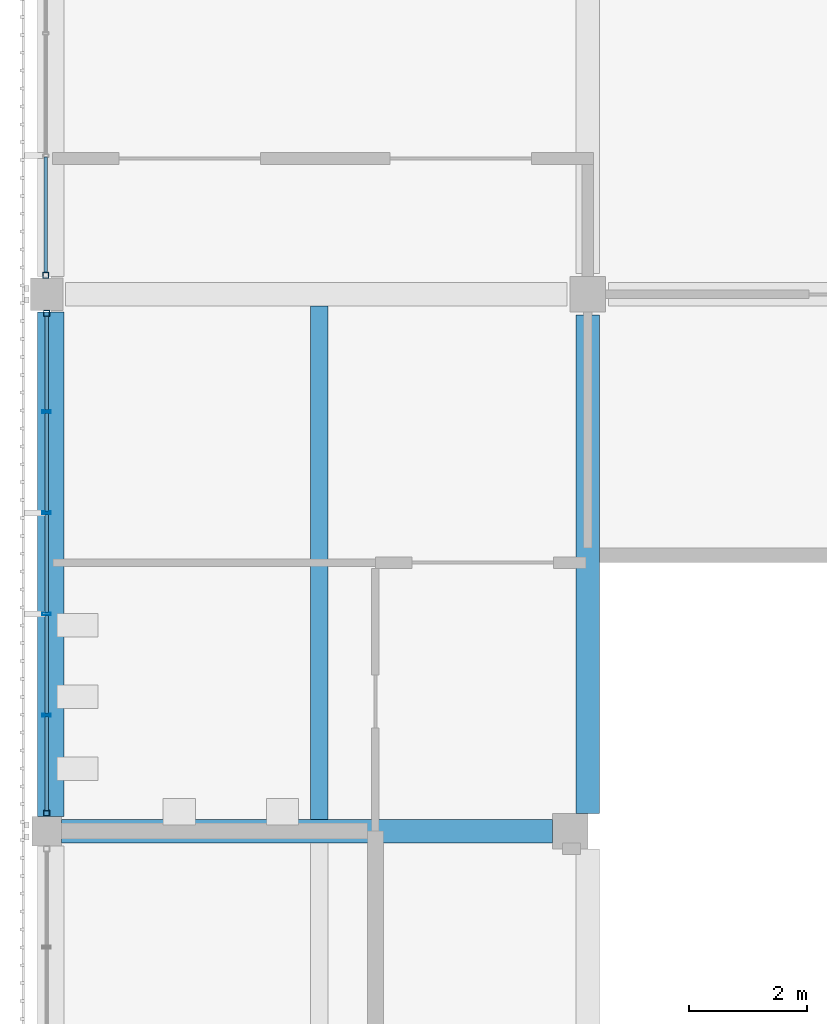
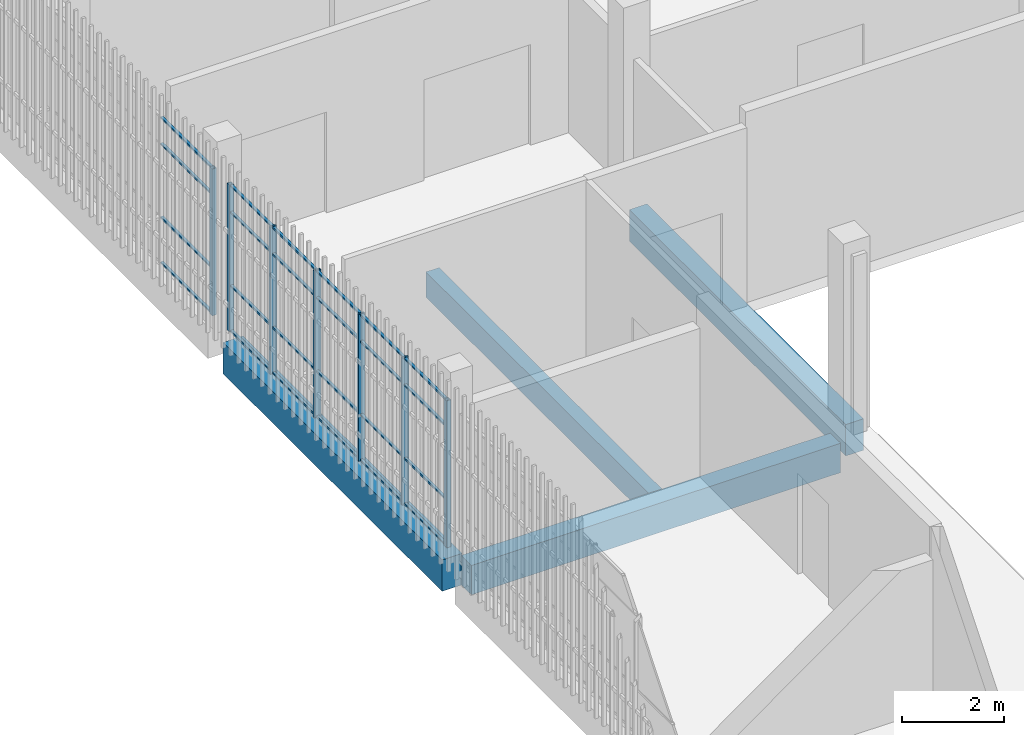
# One storey, part 29 of 124: 31 members, 4 beams, 2 elements without a shape of their own.
"""IFC4 building model written with IfcOpenShell, lengths in metres."""

from ifc_helpers import new_model, si_unit, direction, frame, origin, origin_2d, place, context, subcontext, project, spatial, rectangle, hollow_rectangle, extrude, material, layer, layer_set, material_profile, profile_set, type_object, element, aggregate, save


model = new_model("IFC4")

# Units and contexts
model_context = context("Model", 3, precision=1e-05, world=origin(), true_north=direction((0.0, 1.0)))
body_context = subcontext(model_context, "Body", "Model", "MODEL_VIEW")
ifc_project = project(units=[si_unit("LENGTHUNIT", "METRE"), si_unit("AREAUNIT", "SQUARE_METRE"), si_unit("VOLUMEUNIT", "CUBIC_METRE"), si_unit("PLANEANGLEUNIT", "RADIAN"), si_unit("MASSUNIT", "GRAM", prefix="KILO")], contexts=[model_context])

# Site, building, storey
site_placement = place(None, origin())
site = spatial("IfcSite", under=ifc_project, at=site_placement, CompositionType="ELEMENT")
building_placement = place(site_placement, origin())
building = spatial("IfcBuilding", under=site, at=building_placement, Name="Shirokan Park Arena", CompositionType="ELEMENT")
storey_placement = place(building_placement, frame((0.0, 0.0, 20.02001953125)))
storey = spatial("IfcBuildingStorey", under=building, at=storey_placement, Name="L04", CompositionType="ELEMENT", Elevation=20.02001953125)

# Curtain wall, member
ifc_material_1 = material(Name="Steel and glass curtain wall", Category="steel")
ifc_layer_1 = layer(ifc_material_1, 0.1201171875)
ifc_layer_set_1 = layer_set([ifc_layer_1], Name="Steel and glass curtain wall 120 mm")
curtain_wall_type_1 = type_object("IfcCurtainWallType", Name="Curtain wall corner block side bay 120", PredefinedType="NOTDEFINED", material=ifc_layer_set_1)
curtain_wall_1_placement = place(storey_placement, origin())
curtain_wall_1 = element("IfcCurtainWall", 1, at=curtain_wall_1_placement, inside=storey, type_object=curtain_wall_type_1, Name="Curtain wall west bay 4 L04", PredefinedType="NOTDEFINED")
ifc_material_2 = material(Name="Steel S355", Category="steel")
ifc_material_profile_1 = material_profile(ifc_material_2, hollow_rectangle(XDim=0.10009765625, YDim=0.10009765625, WallThickness=0.006103515625, at=origin_2d()), Name="RHS 100x100x6")
ifc_profile_set_1 = profile_set([ifc_material_profile_1], Name="Steel S355")
member_type_1 = type_object("IfcMemberType", Name="Mullion RHS 100x100x6", PredefinedType="MULLION", material=ifc_profile_set_1)
member_1_placement = place(storey_placement, frame((-0.090087890625, 73.125, 0.0), z_axis=(0.0, 0.0, 1.0), x_axis=(1.0, 0.0, 0.0)))
member_1 = element("IfcMember", 2, at=member_1_placement, type_object=member_type_1, Name="CW3 mullion 4", PredefinedType="MULLION", context=body_context, shape_type="SweptSolid", body=[
    extrude(hollow_rectangle(XDim=0.10009765625, YDim=0.10009765625, WallThickness=0.006103515625, at=origin_2d()), origin(), (0.0, 0.0, 1.0), 3.5),
])

# Curtain wall, members
ifc_layer_2 = layer(ifc_material_1, 0.14990234375)
ifc_layer_set_2 = layer_set([ifc_layer_2], Name="Steel and glass curtain wall 150 mm")
curtain_wall_type_2 = type_object("IfcCurtainWallType", Name="Curtain wall exposed bay 150", PredefinedType="NOTDEFINED", material=ifc_layer_set_2)
curtain_wall_2_placement = place(storey_placement, origin())
curtain_wall_2 = element("IfcCurtainWall", 3, at=curtain_wall_2_placement, inside=storey, type_object=curtain_wall_type_2, Name="Curtain wall west bay 5 L04", PredefinedType="NOTDEFINED")
member_2_placement = place(storey_placement, frame((-0.074951171875, 72.47509765625, 0.0), z_axis=(0.0, 0.0, 1.0), x_axis=(1.0, 0.0, 0.0)))
member_2 = element("IfcMember", 4, at=member_2_placement, type_object=member_type_1, Name="CW1 mullion 1", PredefinedType="MULLION", context=body_context, shape_type="SweptSolid", body=[
    extrude(hollow_rectangle(XDim=0.10009765625, YDim=0.10009765625, WallThickness=0.006103515625, at=origin_2d()), origin(), (0.0, 0.0, 1.0), 3.5),
])
member_3_placement = place(storey_placement, frame((-0.074951171875, 64.0, 0.0), z_axis=(0.0, 0.0, 1.0), x_axis=(1.0, 0.0, 0.0)))
member_3 = element("IfcMember", 5, at=member_3_placement, type_object=member_type_1, Name="CW1 mullion 6", PredefinedType="MULLION", context=body_context, shape_type="SweptSolid", body=[
    extrude(hollow_rectangle(XDim=0.10009765625, YDim=0.10009765625, WallThickness=0.006103515625, at=origin_2d()), origin(), (0.0, 0.0, 1.0), 3.5),
])
ifc_material_profile_2 = material_profile(ifc_material_2, hollow_rectangle(XDim=0.14990234375, YDim=0.050048828125, WallThickness=0.006103515625, at=origin_2d()), Name="RHS 150x50x6")
ifc_profile_set_2 = profile_set([ifc_material_profile_2], Name="Steel S355")
member_type_2 = type_object("IfcMemberType", Name="Mullion RHS 150x50x6", PredefinedType="MULLION", material=ifc_profile_set_2)
member_4_placement = place(storey_placement, frame((-0.074951171875, 70.81005859375, 0.0), z_axis=(0.0, 0.0, 1.0), x_axis=(1.0, 0.0, 0.0)))
member_4 = element("IfcMember", 6, at=member_4_placement, type_object=member_type_2, Name="CW1 mullion 2", PredefinedType="MULLION", context=body_context, shape_type="SweptSolid", body=[
    extrude(hollow_rectangle(XDim=0.14990234375, YDim=0.050048828125, WallThickness=0.006103515625, at=origin_2d()), origin(), (0.0, 0.0, 1.0), 3.5),
])
member_5_placement = place(storey_placement, frame((-0.074951171875, 69.094970703125, 0.0), z_axis=(0.0, 0.0, 1.0), x_axis=(1.0, 0.0, 0.0)))
member_5 = element("IfcMember", 7, at=member_5_placement, type_object=member_type_2, Name="CW1 mullion 3", PredefinedType="MULLION", context=body_context, shape_type="SweptSolid", body=[
    extrude(hollow_rectangle(XDim=0.14990234375, YDim=0.050048828125, WallThickness=0.006103515625, at=origin_2d()), origin(), (0.0, 0.0, 1.0), 3.5),
])
member_6_placement = place(storey_placement, frame((-0.074951171875, 67.3798828125, 0.0), z_axis=(0.0, 0.0, 1.0), x_axis=(1.0, 0.0, 0.0)))
member_6 = element("IfcMember", 8, at=member_6_placement, type_object=member_type_2, Name="CW1 mullion 4", PredefinedType="MULLION", context=body_context, shape_type="SweptSolid", body=[
    extrude(hollow_rectangle(XDim=0.14990234375, YDim=0.050048828125, WallThickness=0.006103515625, at=origin_2d()), origin(), (0.0, 0.0, 1.0), 3.5),
])
member_7_placement = place(storey_placement, frame((-0.074951171875, 65.6650390625, 0.0), z_axis=(0.0, 0.0, 1.0), x_axis=(1.0, 0.0, 0.0)))
member_7 = element("IfcMember", 9, at=member_7_placement, type_object=member_type_2, Name="CW1 mullion 5", PredefinedType="MULLION", context=body_context, shape_type="SweptSolid", body=[
    extrude(hollow_rectangle(XDim=0.14990234375, YDim=0.050048828125, WallThickness=0.006103515625, at=origin_2d()), origin(), (0.0, 0.0, 1.0), 3.5),
])

# Beams
ifc_material_3 = material(Name="Concrete C35", Category="concrete")
ifc_material_profile_3 = material_profile(ifc_material_3, rectangle(XDim=0.39990234375, YDim=0.699951171875, at=origin_2d()), Name="400x700")
ifc_profile_set_3 = profile_set([ifc_material_profile_3], Name="Concrete C35")
beam_type_1 = type_object("IfcBeamType", Name="RC girder 400x700", PredefinedType="BEAM", material=ifc_profile_set_3)
beam_1_placement = place(storey_placement, frame((0.175048828125, 63.699951171875, -0.60009765625), z_axis=(1.0, 0.0, 0.0), x_axis=(0.0, 1.0, 0.0)))
element("IfcBeam", 10, at=beam_1_placement, inside=storey, type_object=beam_type_1, Name="Girder 1H-2H L04", PredefinedType="BEAM", context=body_context, shape_type="SweptSolid", body=[
    extrude(rectangle(XDim=0.39990234375, YDim=0.699951171875, at=origin_2d()), origin(), (0.0, 0.0, 1.0), 8.324951171875),
])
ifc_material_profile_4 = material_profile(ifc_material_3, rectangle(XDim=0.39990234375, YDim=0.75, at=origin_2d()), Name="400x750")
ifc_profile_set_4 = profile_set([ifc_material_profile_4], Name="Concrete C35")
beam_type_2 = type_object("IfcBeamType", Name="RC girder 400x750", PredefinedType="BEAM", material=ifc_profile_set_4)
beam_2_placement = place(storey_placement, frame((9.10009765625, 64.0, -0.625), z_axis=(0.0, 1.0, 0.0), x_axis=(-1.0, 0.0, 0.0)))
element("IfcBeam", 11, at=beam_2_placement, inside=storey, type_object=beam_type_2, Name="Girder 2H-2J L04", PredefinedType="BEAM", context=body_context, shape_type="SweptSolid", body=[
    extrude(rectangle(XDim=0.39990234375, YDim=0.75, at=origin_2d()), origin(), (0.0, 0.0, 1.0), 8.449951171875),
])
ifc_material_profile_5 = material_profile(ifc_material_3, rectangle(XDim=0.449951171875, YDim=0.75, at=origin_2d()), Name="450x750")
ifc_profile_set_5 = profile_set([ifc_material_profile_5], Name="Concrete C35")
beam_type_3 = type_object("IfcBeamType", Name="RC girder 450x750", PredefinedType="BEAM", material=ifc_profile_set_5)
beam_3_placement = place(storey_placement, frame((0.0, 63.9501953125, -0.625), z_axis=(0.0, 1.0, 0.0), x_axis=(-1.0, 0.0, 0.0)))
element("IfcBeam", 12, at=beam_3_placement, inside=storey, type_object=beam_type_3, Name="Girder 1H-1J L04", PredefinedType="BEAM", context=body_context, shape_type="SweptSolid", body=[
    extrude(rectangle(XDim=0.449951171875, YDim=0.75, at=origin_2d()), origin(), (0.0, 0.0, 1.0), 8.5498046875),
])
ifc_material_profile_6 = material_profile(ifc_material_3, rectangle(XDim=0.300048828125, YDim=0.60009765625, at=origin_2d()), Name="300x600")
ifc_profile_set_6 = profile_set([ifc_material_profile_6], Name="Concrete C35")
beam_type_4 = type_object("IfcBeamType", Name="RC joist 300x600", PredefinedType="JOIST", material=ifc_profile_set_6)
beam_4_placement = place(storey_placement, frame((4.550048828125, 63.89990234375, -0.550048828125), z_axis=(0.0, 1.0, 0.0), x_axis=(-1.0, 0.0, 0.0)))
element("IfcBeam", 13, at=beam_4_placement, inside=storey, type_object=beam_type_4, Name="Joist 1H L04", PredefinedType="JOIST", context=body_context, shape_type="SweptSolid", body=[
    extrude(rectangle(XDim=0.300048828125, YDim=0.60009765625, at=origin_2d()), origin(), (0.0, 0.0, 1.0), 8.7001953125),
])

# Member
ifc_material_profile_7 = material_profile(ifc_material_2, hollow_rectangle(XDim=0.06005859375, YDim=0.0400390625, WallThickness=0.00390625, at=origin_2d()), Name="RHS 60x40x4")
ifc_profile_set_7 = profile_set([ifc_material_profile_7], Name="Steel S355")
member_type_3 = type_object("IfcMemberType", Name="Transom RHS 60x40x4", PredefinedType="MULLION", material=ifc_profile_set_7)
member_8_placement = place(storey_placement, frame((-0.090087890625, 75.125, 0.02001953125), z_axis=(0.0, -1.0, 0.0), x_axis=(1.0, 0.0, 0.0)))
member_8 = element("IfcMember", 14, at=member_8_placement, type_object=member_type_3, Name="CW3 transom 3.1", PredefinedType="MULLION", context=body_context, shape_type="SweptSolid", body=[
    extrude(hollow_rectangle(XDim=0.06005859375, YDim=0.0400390625, WallThickness=0.00390625, at=origin_2d()), origin(), (0.0, 0.0, 1.0), 1.949951171875),
])

member_9_placement = place(storey_placement, frame((-0.090087890625, 75.125, 1.10009765625), z_axis=(0.0, -1.0, 0.0), x_axis=(1.0, 0.0, 0.0)))
member_9 = element("IfcMember", 15, at=member_9_placement, type_object=member_type_3, Name="CW3 transom 3.2", PredefinedType="MULLION", context=body_context, shape_type="SweptSolid", body=[
    extrude(hollow_rectangle(XDim=0.06005859375, YDim=0.0400390625, WallThickness=0.00390625, at=origin_2d()), origin(), (0.0, 0.0, 1.0), 1.949951171875),
])

member_10_placement = place(storey_placement, frame((-0.090087890625, 75.125, 2.85009765625), z_axis=(0.0, -1.0, 0.0), x_axis=(1.0, 0.0, 0.0)))
member_10 = element("IfcMember", 16, at=member_10_placement, type_object=member_type_3, Name="CW3 transom 3.3", PredefinedType="MULLION", context=body_context, shape_type="SweptSolid", body=[
    extrude(hollow_rectangle(XDim=0.06005859375, YDim=0.0400390625, WallThickness=0.00390625, at=origin_2d()), origin(), (0.0, 0.0, 1.0), 1.949951171875),
])

member_11_placement = place(storey_placement, frame((-0.090087890625, 75.125, 3.47998046875), z_axis=(0.0, -1.0, 0.0), x_axis=(1.0, 0.0, 0.0)))
member_11 = element("IfcMember", 17, at=member_11_placement, type_object=member_type_3, Name="CW3 transom 3.4", PredefinedType="MULLION", context=body_context, shape_type="SweptSolid", body=[
    extrude(hollow_rectangle(XDim=0.06005859375, YDim=0.0400390625, WallThickness=0.00390625, at=origin_2d()), origin(), (0.0, 0.0, 1.0), 1.949951171875),
])

aggregate(curtain_wall_1, [member_1, member_8, member_9, member_10, member_11])

member_12_placement = place(storey_placement, frame((-0.074951171875, 72.425048828125, 0.02001953125), z_axis=(0.0, -1.0, 0.0), x_axis=(1.0, 0.0, 0.0)))
member_12 = element("IfcMember", 18, at=member_12_placement, type_object=member_type_3, Name="CW1 transom 1.1", PredefinedType="MULLION", context=body_context, shape_type="SweptSolid", body=[
    extrude(hollow_rectangle(XDim=0.06005859375, YDim=0.0400390625, WallThickness=0.00390625, at=origin_2d()), origin(), (0.0, 0.0, 1.0), 1.590087890625),
])

member_13_placement = place(storey_placement, frame((-0.074951171875, 72.425048828125, 1.10009765625), z_axis=(0.0, -1.0, 0.0), x_axis=(1.0, 0.0, 0.0)))
member_13 = element("IfcMember", 19, at=member_13_placement, type_object=member_type_3, Name="CW1 transom 1.2", PredefinedType="MULLION", context=body_context, shape_type="SweptSolid", body=[
    extrude(hollow_rectangle(XDim=0.06005859375, YDim=0.0400390625, WallThickness=0.00390625, at=origin_2d()), origin(), (0.0, 0.0, 1.0), 1.590087890625),
])

member_14_placement = place(storey_placement, frame((-0.074951171875, 72.425048828125, 2.85009765625), z_axis=(0.0, -1.0, 0.0), x_axis=(1.0, 0.0, 0.0)))
member_14 = element("IfcMember", 20, at=member_14_placement, type_object=member_type_3, Name="CW1 transom 1.3", PredefinedType="MULLION", context=body_context, shape_type="SweptSolid", body=[
    extrude(hollow_rectangle(XDim=0.06005859375, YDim=0.0400390625, WallThickness=0.00390625, at=origin_2d()), origin(), (0.0, 0.0, 1.0), 1.590087890625),
])

member_15_placement = place(storey_placement, frame((-0.074951171875, 72.425048828125, 3.47998046875), z_axis=(0.0, -1.0, 0.0), x_axis=(1.0, 0.0, 0.0)))
member_15 = element("IfcMember", 21, at=member_15_placement, type_object=member_type_3, Name="CW1 transom 1.4", PredefinedType="MULLION", context=body_context, shape_type="SweptSolid", body=[
    extrude(hollow_rectangle(XDim=0.06005859375, YDim=0.0400390625, WallThickness=0.00390625, at=origin_2d()), origin(), (0.0, 0.0, 1.0), 1.590087890625),
])

member_16_placement = place(storey_placement, frame((-0.074951171875, 70.784912109375, 0.02001953125), z_axis=(0.0, -1.0, 0.0), x_axis=(1.0, 0.0, 0.0)))
member_16 = element("IfcMember", 22, at=member_16_placement, type_object=member_type_3, Name="CW1 transom 2.1", PredefinedType="MULLION", context=body_context, shape_type="SweptSolid", body=[
    extrude(hollow_rectangle(XDim=0.06005859375, YDim=0.0400390625, WallThickness=0.00390625, at=origin_2d()), origin(), (0.0, 0.0, 1.0), 1.664794921875),
])

member_17_placement = place(storey_placement, frame((-0.074951171875, 70.784912109375, 1.10009765625), z_axis=(0.0, -1.0, 0.0), x_axis=(1.0, 0.0, 0.0)))
member_17 = element("IfcMember", 23, at=member_17_placement, type_object=member_type_3, Name="CW1 transom 2.2", PredefinedType="MULLION", context=body_context, shape_type="SweptSolid", body=[
    extrude(hollow_rectangle(XDim=0.06005859375, YDim=0.0400390625, WallThickness=0.00390625, at=origin_2d()), origin(), (0.0, 0.0, 1.0), 1.664794921875),
])

member_18_placement = place(storey_placement, frame((-0.074951171875, 70.784912109375, 2.85009765625), z_axis=(0.0, -1.0, 0.0), x_axis=(1.0, 0.0, 0.0)))
member_18 = element("IfcMember", 24, at=member_18_placement, type_object=member_type_3, Name="CW1 transom 2.3", PredefinedType="MULLION", context=body_context, shape_type="SweptSolid", body=[
    extrude(hollow_rectangle(XDim=0.06005859375, YDim=0.0400390625, WallThickness=0.00390625, at=origin_2d()), origin(), (0.0, 0.0, 1.0), 1.664794921875),
])

member_19_placement = place(storey_placement, frame((-0.074951171875, 70.784912109375, 3.47998046875), z_axis=(0.0, -1.0, 0.0), x_axis=(1.0, 0.0, 0.0)))
member_19 = element("IfcMember", 25, at=member_19_placement, type_object=member_type_3, Name="CW1 transom 2.4", PredefinedType="MULLION", context=body_context, shape_type="SweptSolid", body=[
    extrude(hollow_rectangle(XDim=0.06005859375, YDim=0.0400390625, WallThickness=0.00390625, at=origin_2d()), origin(), (0.0, 0.0, 1.0), 1.664794921875),
])

member_20_placement = place(storey_placement, frame((-0.074951171875, 69.070068359375, 0.02001953125), z_axis=(0.0, -1.0, 0.0), x_axis=(1.0, 0.0, 0.0)))
member_20 = element("IfcMember", 26, at=member_20_placement, type_object=member_type_3, Name="CW1 transom 3.1", PredefinedType="MULLION", context=body_context, shape_type="SweptSolid", body=[
    extrude(hollow_rectangle(XDim=0.06005859375, YDim=0.0400390625, WallThickness=0.00390625, at=origin_2d()), origin(), (0.0, 0.0, 1.0), 1.6650390625),
])

member_21_placement = place(storey_placement, frame((-0.074951171875, 69.070068359375, 1.10009765625), z_axis=(0.0, -1.0, 0.0), x_axis=(1.0, 0.0, 0.0)))
member_21 = element("IfcMember", 27, at=member_21_placement, type_object=member_type_3, Name="CW1 transom 3.2", PredefinedType="MULLION", context=body_context, shape_type="SweptSolid", body=[
    extrude(hollow_rectangle(XDim=0.06005859375, YDim=0.0400390625, WallThickness=0.00390625, at=origin_2d()), origin(), (0.0, 0.0, 1.0), 1.6650390625),
])

member_22_placement = place(storey_placement, frame((-0.074951171875, 69.070068359375, 2.85009765625), z_axis=(0.0, -1.0, 0.0), x_axis=(1.0, 0.0, 0.0)))
member_22 = element("IfcMember", 28, at=member_22_placement, type_object=member_type_3, Name="CW1 transom 3.3", PredefinedType="MULLION", context=body_context, shape_type="SweptSolid", body=[
    extrude(hollow_rectangle(XDim=0.06005859375, YDim=0.0400390625, WallThickness=0.00390625, at=origin_2d()), origin(), (0.0, 0.0, 1.0), 1.6650390625),
])

member_23_placement = place(storey_placement, frame((-0.074951171875, 69.070068359375, 3.47998046875), z_axis=(0.0, -1.0, 0.0), x_axis=(1.0, 0.0, 0.0)))
member_23 = element("IfcMember", 29, at=member_23_placement, type_object=member_type_3, Name="CW1 transom 3.4", PredefinedType="MULLION", context=body_context, shape_type="SweptSolid", body=[
    extrude(hollow_rectangle(XDim=0.06005859375, YDim=0.0400390625, WallThickness=0.00390625, at=origin_2d()), origin(), (0.0, 0.0, 1.0), 1.6650390625),
])

member_24_placement = place(storey_placement, frame((-0.074951171875, 67.35498046875, 0.02001953125), z_axis=(0.0, -1.0, 0.0), x_axis=(1.0, 0.0, 0.0)))
member_24 = element("IfcMember", 30, at=member_24_placement, type_object=member_type_3, Name="CW1 transom 4.1", PredefinedType="MULLION", context=body_context, shape_type="SweptSolid", body=[
    extrude(hollow_rectangle(XDim=0.06005859375, YDim=0.0400390625, WallThickness=0.00390625, at=origin_2d()), origin(), (0.0, 0.0, 1.0), 1.6650390625),
])

member_25_placement = place(storey_placement, frame((-0.074951171875, 67.35498046875, 1.10009765625), z_axis=(0.0, -1.0, 0.0), x_axis=(1.0, 0.0, 0.0)))
member_25 = element("IfcMember", 31, at=member_25_placement, type_object=member_type_3, Name="CW1 transom 4.2", PredefinedType="MULLION", context=body_context, shape_type="SweptSolid", body=[
    extrude(hollow_rectangle(XDim=0.06005859375, YDim=0.0400390625, WallThickness=0.00390625, at=origin_2d()), origin(), (0.0, 0.0, 1.0), 1.6650390625),
])

member_26_placement = place(storey_placement, frame((-0.074951171875, 67.35498046875, 2.85009765625), z_axis=(0.0, -1.0, 0.0), x_axis=(1.0, 0.0, 0.0)))
member_26 = element("IfcMember", 32, at=member_26_placement, type_object=member_type_3, Name="CW1 transom 4.3", PredefinedType="MULLION", context=body_context, shape_type="SweptSolid", body=[
    extrude(hollow_rectangle(XDim=0.06005859375, YDim=0.0400390625, WallThickness=0.00390625, at=origin_2d()), origin(), (0.0, 0.0, 1.0), 1.6650390625),
])

member_27_placement = place(storey_placement, frame((-0.074951171875, 67.35498046875, 3.47998046875), z_axis=(0.0, -1.0, 0.0), x_axis=(1.0, 0.0, 0.0)))
member_27 = element("IfcMember", 33, at=member_27_placement, type_object=member_type_3, Name="CW1 transom 4.4", PredefinedType="MULLION", context=body_context, shape_type="SweptSolid", body=[
    extrude(hollow_rectangle(XDim=0.06005859375, YDim=0.0400390625, WallThickness=0.00390625, at=origin_2d()), origin(), (0.0, 0.0, 1.0), 1.6650390625),
])

member_28_placement = place(storey_placement, frame((-0.074951171875, 65.639892578125, 0.02001953125), z_axis=(0.0, -1.0, 0.0), x_axis=(1.0, 0.0, 0.0)))
member_28 = element("IfcMember", 34, at=member_28_placement, type_object=member_type_3, Name="CW1 transom 5.1", PredefinedType="MULLION", context=body_context, shape_type="SweptSolid", body=[
    extrude(hollow_rectangle(XDim=0.06005859375, YDim=0.0400390625, WallThickness=0.00390625, at=origin_2d()), origin(), (0.0, 0.0, 1.0), 1.58984375),
])

member_29_placement = place(storey_placement, frame((-0.074951171875, 65.639892578125, 1.10009765625), z_axis=(0.0, -1.0, 0.0), x_axis=(1.0, 0.0, 0.0)))
member_29 = element("IfcMember", 35, at=member_29_placement, type_object=member_type_3, Name="CW1 transom 5.2", PredefinedType="MULLION", context=body_context, shape_type="SweptSolid", body=[
    extrude(hollow_rectangle(XDim=0.06005859375, YDim=0.0400390625, WallThickness=0.00390625, at=origin_2d()), origin(), (0.0, 0.0, 1.0), 1.58984375),
])

member_30_placement = place(storey_placement, frame((-0.074951171875, 65.639892578125, 2.85009765625), z_axis=(0.0, -1.0, 0.0), x_axis=(1.0, 0.0, 0.0)))
member_30 = element("IfcMember", 36, at=member_30_placement, type_object=member_type_3, Name="CW1 transom 5.3", PredefinedType="MULLION", context=body_context, shape_type="SweptSolid", body=[
    extrude(hollow_rectangle(XDim=0.06005859375, YDim=0.0400390625, WallThickness=0.00390625, at=origin_2d()), origin(), (0.0, 0.0, 1.0), 1.58984375),
])

member_31_placement = place(storey_placement, frame((-0.074951171875, 65.639892578125, 3.47998046875), z_axis=(0.0, -1.0, 0.0), x_axis=(1.0, 0.0, 0.0)))
member_31 = element("IfcMember", 37, at=member_31_placement, type_object=member_type_3, Name="CW1 transom 5.4", PredefinedType="MULLION", context=body_context, shape_type="SweptSolid", body=[
    extrude(hollow_rectangle(XDim=0.06005859375, YDim=0.0400390625, WallThickness=0.00390625, at=origin_2d()), origin(), (0.0, 0.0, 1.0), 1.58984375),
])

aggregate(curtain_wall_2, [member_2, member_4, member_5, member_6, member_7, member_3, member_12, member_13, member_14, member_15, member_16, member_17, member_18, member_19, member_20, member_21, member_22, member_23, member_24, member_25, member_26, member_27, member_28, member_29, member_30, member_31])

save(model, "model.ifc")
